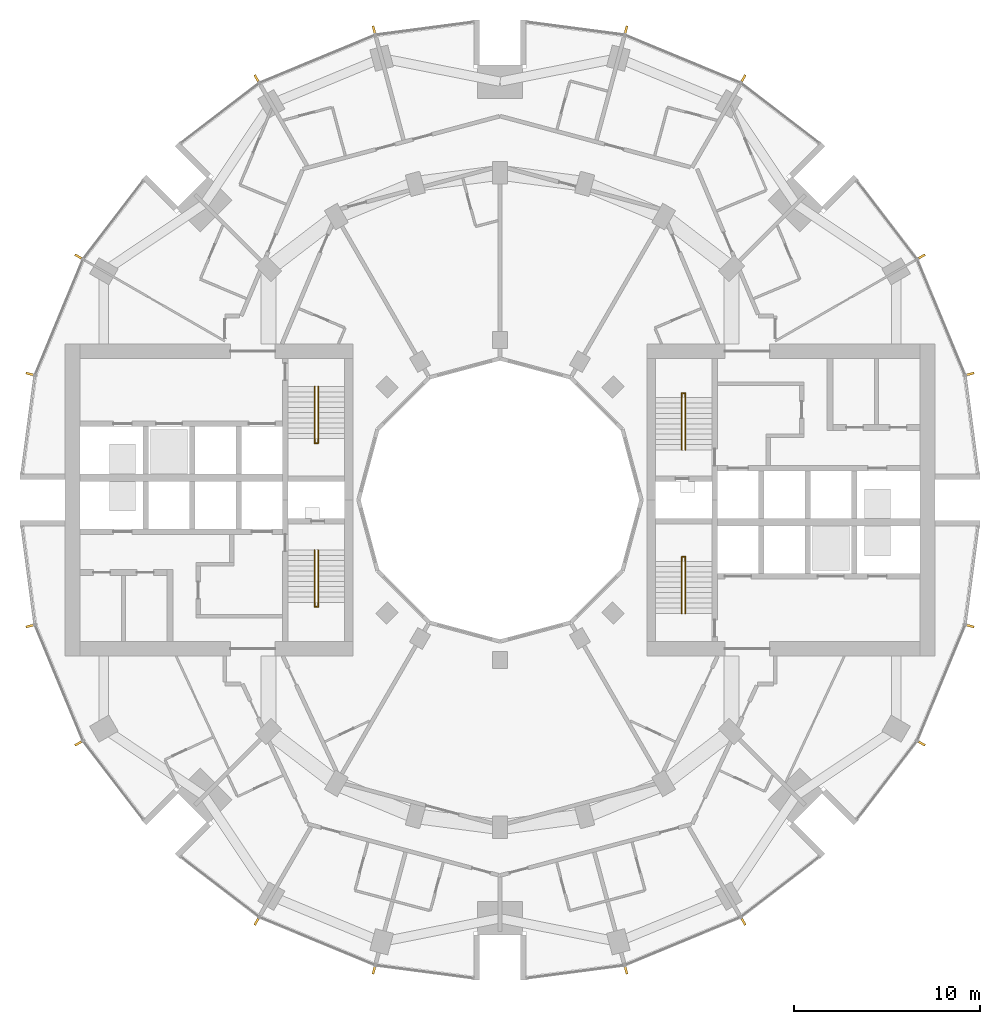
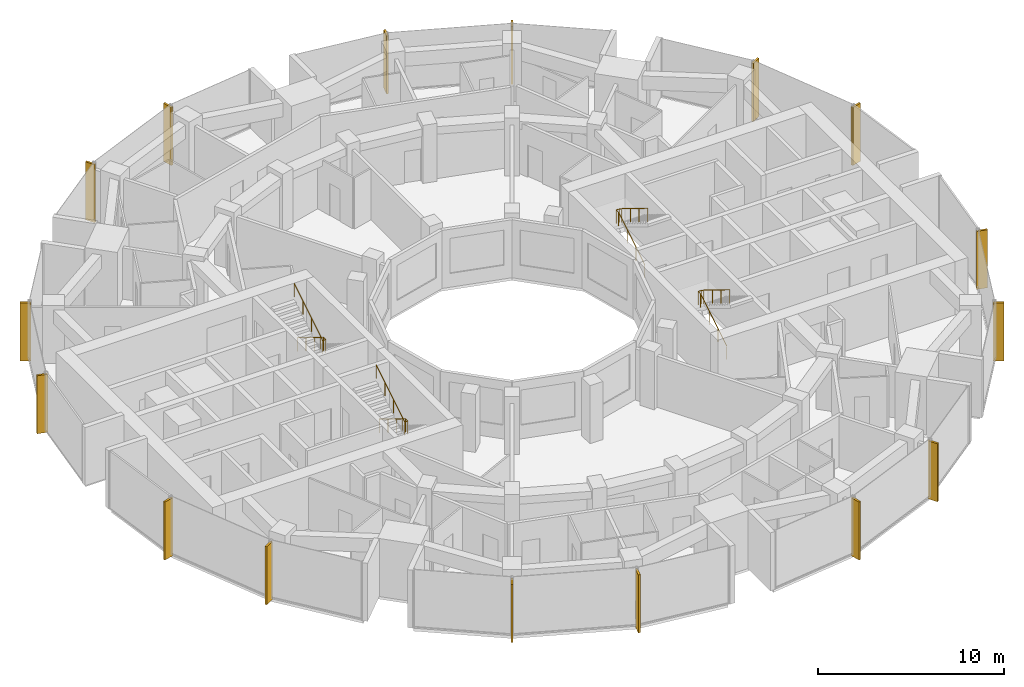
# One storey, part 14 of 15: 16 shading devices, 4 railings.
"""IFC4 building model written with IfcOpenShell, lengths in metres."""

from ifc_helpers import new_model, si_unit, direction, frame, origin, origin_2d, place, context, subcontext, project, spatial, rectangle, circle, extrude, material, material_profile, profile_set, type_object, element, save


model = new_model("IFC4")

# Units and contexts
model_context = context("Model", 3, precision=1e-05, world=origin(), true_north=direction((0.0, 1.0)))
body_context = subcontext(model_context, "Body", "Model", "MODEL_VIEW")
ifc_project = project(units=[si_unit("LENGTHUNIT", "METRE"), si_unit("AREAUNIT", "SQUARE_METRE"), si_unit("VOLUMEUNIT", "CUBIC_METRE"), si_unit("PLANEANGLEUNIT", "RADIAN"), si_unit("MASSUNIT", "GRAM", prefix="KILO")], contexts=[model_context])

# Site, building, storey
site_placement = place(None, origin())
site = spatial("IfcSite", under=ifc_project, at=site_placement, CompositionType="ELEMENT")
building_placement = place(site_placement, origin())
building = spatial("IfcBuilding", under=site, at=building_placement, Name="Torre Brocal", CompositionType="ELEMENT")
storey_placement = place(building_placement, frame((0.0, 0.0, 82.39990234375)))
storey = spatial("IfcBuildingStorey", under=building, at=storey_placement, Name="L18", CompositionType="ELEMENT", Elevation=82.39990234375)

# Shading devices
ifc_material_1 = material(Name="Aluminium, black anodised", Category="aluminium")
ifc_material_profile = material_profile(ifc_material_1, rectangle(XDim=0.1201171875, YDim=0.60009765625, at=origin_2d()), Name="FIN 120X600 3800 HIGH")
ifc_profile_set = profile_set([ifc_material_profile], Name="Aluminium, black anodised")
shading_device_type = type_object("IfcShadingDeviceType", Name="FIN 120X600 3800 HIGH", PredefinedType="USERDEFINED", material=ifc_profile_set)
for number, where, z_axis, x_axis, name in (
    (1, (105.208984375, 81.754638671875, -0.14990234375), (0.0, 0.0, 1.0), (-0.258819045103, 0.965925826289, 0.0), "FIN"),
    (2, (102.601806640625, 88.049072265625, -0.14990234375), (0.0, 0.0, 1.0), (-0.5, 0.866025403784, 0.0), "FIN"),
    (3, (93.049072265625, 97.601806640625, -0.14990234375), (0.0, 0.0, 1.0), (-0.866025403784, 0.5, 0.0), "FIN"),
    (4, (86.754638671875, 100.208984375, -0.14990234375), (0.0, 0.0, 1.0), (-0.965925826289, 0.258819045103, 0.0), "FIN"),
    (5, (73.245361328125, 100.208984375, -0.14990234375), (0.0, 0.0, 1.0), (-0.965925826289, -0.258819045103, 0.0), "FIN"),
    (6, (66.950927734375, 97.601806640625, -0.14990234375), (0.0, 0.0, 1.0), (-0.866025403784, -0.5, 0.0), "FIN"),
    (7, (57.398193359375, 88.049072265625, -0.14990234375), (0.0, 0.0, 1.0), (-0.5, -0.866025403784, 0.0), "FIN"),
    (8, (54.791015625, 81.754638671875, -0.14990234375), (0.0, 0.0, 1.0), (-0.258819045103, -0.965925826289, 0.0), "FIN"),
    (9, (54.791015625, 68.245361328125, -0.14990234375), (0.0, 0.0, 1.0), (0.258819045103, -0.965925826289, 0.0), "FIN"),
    (10, (57.398193359375, 61.950927734375, -0.14990234375), (0.0, 0.0, 1.0), (0.5, -0.866025403784, 0.0), "FIN"),
    (11, (66.950927734375, 52.398193359375, -0.14990234375), (0.0, 0.0, 1.0), (0.866025403784, -0.5, 0.0), "FIN"),
    (12, (73.245361328125, 49.791015625, -0.14990234375), (0.0, 0.0, 1.0), (0.965925826289, -0.258819045103, 0.0), "FIN"),
    (13, (86.754638671875, 49.791015625, -0.14990234375), (0.0, 0.0, 1.0), (0.965925826289, 0.258819045103, 0.0), "FIN"),
    (14, (93.049072265625, 52.398193359375, -0.14990234375), (0.0, 0.0, 1.0), (0.866025403784, 0.5, 0.0), "FIN"),
    (15, (102.601806640625, 61.950927734375, -0.14990234375), (0.0, 0.0, 1.0), (0.5, 0.866025403784, 0.0), "FIN"),
    (16, (105.208984375, 68.245361328125, -0.14990234375), (0.0, 0.0, 1.0), (0.258819045103, 0.965925826289, 0.0), "FIN"),
):
    element("IfcShadingDevice", number, at=place(storey_placement, frame(where, z_axis=z_axis, x_axis=x_axis)), inside=storey, type_object=shading_device_type, Name=name, ObjectType="FIN", PredefinedType="USERDEFINED", context=body_context, shape_type="SweptSolid", body=[
        extrude(rectangle(XDim=0.1201171875, YDim=0.60009765625, at=origin_2d()), origin(), (0.0, 0.0, 1.0), 3.800048828125),
    ])

# Railings
ifc_material_2 = material(Name="Stainless steel AISI 316", Category="steel")
railing_type = type_object("IfcRailingType", Name="STAIR HANDRAIL", PredefinedType="HANDRAIL", material=ifc_material_2)
railing_1_placement = place(storey_placement, frame((89.780029296875, 77.699951171875, 0.1728515625)))
element("IfcRailing", 17, at=railing_1_placement, inside=storey, type_object=railing_type, Name="HANDRAIL ST1", PredefinedType="HANDRAIL", context=body_context, shape_type="SweptSolid", body=[
    extrude(circle(Radius=0.02392578125, at=origin_2d()), frame((0.0, 0.0, 0.8759765625), z_axis=(0.0, 0.851089632645, 0.525020415988), x_axis=(-1.0, 0.0, 0.0)), (0.0, 0.0, 1.0), 3.2900390625),
    extrude(circle(Radius=0.02392578125, at=origin_2d()), frame((0.0, 2.800048828125, 2.60302734375), z_axis=(0.0, 1.0, 0.0), x_axis=(-1.0, 0.0, 0.0)), (0.0, 0.0, 1.0), 0.25),
    extrude(circle(Radius=0.02392578125, at=origin_2d()), frame((0.0, 3.050048828125, 2.60302734375), z_axis=(1.0, 0.0, 0.0), x_axis=(0.0, 1.0, 0.0)), (0.0, 0.0, 1.0), 0.18994140625),
    extrude(circle(Radius=0.02392578125, at=origin_2d()), frame((0.18994140625, 3.050048828125, 2.60302734375), z_axis=(0.0, -0.822914792866, 0.568164803277), x_axis=(1.0, 0.0, 0.0)), (0.0, 0.0, 1.0), 0.3037109375),
    extrude(circle(Radius=0.02392578125, at=origin_2d()), frame((0.18994140625, 2.800048828125, 2.77587890625), z_axis=(0.0, -0.851089632645, 0.525020415988), x_axis=(1.0, 0.0, 0.0)), (0.0, 0.0, 1.0), 3.2900390625),
    extrude(circle(Radius=0.02099609375, at=origin_2d()), origin(), (0.0, 0.0, 1.0), 0.851806640625),
    extrude(circle(Radius=0.02099609375, at=origin_2d()), frame((0.0, 0.933349609375, 0.57568359375)), (0.0, 0.0, 1.0), 0.851806640625),
    extrude(circle(Radius=0.02099609375, at=origin_2d()), frame((0.0, 1.86669921875, 1.151611328125)), (0.0, 0.0, 1.0), 0.851806640625),
    extrude(circle(Radius=0.02099609375, at=origin_2d()), frame((0.0, 2.800048828125, 1.727294921875)), (0.0, 0.0, 1.0), 0.851806640625),
    extrude(circle(Radius=0.02099609375, at=origin_2d()), frame((0.0, 3.050048828125, 1.727294921875)), (0.0, 0.0, 1.0), 0.851806640625),
    extrude(circle(Radius=0.02099609375, at=origin_2d()), frame((0.18994140625, 3.050048828125, 1.727294921875)), (0.0, 0.0, 1.0), 0.851806640625),
    extrude(circle(Radius=0.02099609375, at=origin_2d()), frame((0.18994140625, 2.800048828125, 1.89990234375)), (0.0, 0.0, 1.0), 0.851806640625),
    extrude(circle(Radius=0.02099609375, at=origin_2d()), frame((0.18994140625, 1.86669921875, 2.4755859375)), (0.0, 0.0, 1.0), 0.851806640625),
    extrude(circle(Radius=0.02099609375, at=origin_2d()), frame((0.18994140625, 0.933349609375, 3.051513671875)), (0.0, 0.0, 1.0), 0.851806640625),
    extrude(circle(Radius=0.02099609375, at=origin_2d()), frame((0.18994140625, 0.0, 3.627197265625)), (0.0, 0.0, 1.0), 0.851806640625),
])
railing_2_placement = place(storey_placement, frame((89.780029296875, 68.89990234375, 0.1728515625)))
element("IfcRailing", 18, at=railing_2_placement, inside=storey, type_object=railing_type, Name="HANDRAIL ST2", PredefinedType="HANDRAIL", context=body_context, shape_type="SweptSolid", body=[
    extrude(circle(Radius=0.02392578125, at=origin_2d()), frame((0.0, 0.0, 0.8759765625), z_axis=(0.0, 0.851089632645, 0.525020415988), x_axis=(-1.0, 0.0, 0.0)), (0.0, 0.0, 1.0), 3.2900390625),
    extrude(circle(Radius=0.02392578125, at=origin_2d()), frame((0.0, 2.800048828125, 2.60302734375), z_axis=(0.0, 1.0, 0.0), x_axis=(-1.0, 0.0, 0.0)), (0.0, 0.0, 1.0), 0.25),
    extrude(circle(Radius=0.02392578125, at=origin_2d()), frame((0.0, 3.050048828125, 2.60302734375), z_axis=(1.0, 0.0, 0.0), x_axis=(0.0, 1.0, 0.0)), (0.0, 0.0, 1.0), 0.18994140625),
    extrude(circle(Radius=0.02392578125, at=origin_2d()), frame((0.18994140625, 3.050048828125, 2.60302734375), z_axis=(0.0, -0.822914792866, 0.568164803277), x_axis=(1.0, 0.0, 0.0)), (0.0, 0.0, 1.0), 0.3037109375),
    extrude(circle(Radius=0.02392578125, at=origin_2d()), frame((0.18994140625, 2.800048828125, 2.77587890625), z_axis=(0.0, -0.851089632645, 0.525020415988), x_axis=(1.0, 0.0, 0.0)), (0.0, 0.0, 1.0), 3.2900390625),
    extrude(circle(Radius=0.02099609375, at=origin_2d()), origin(), (0.0, 0.0, 1.0), 0.851806640625),
    extrude(circle(Radius=0.02099609375, at=origin_2d()), frame((0.0, 0.933349609375, 0.57568359375)), (0.0, 0.0, 1.0), 0.851806640625),
    extrude(circle(Radius=0.02099609375, at=origin_2d()), frame((0.0, 1.86669921875, 1.151611328125)), (0.0, 0.0, 1.0), 0.851806640625),
    extrude(circle(Radius=0.02099609375, at=origin_2d()), frame((0.0, 2.800048828125, 1.727294921875)), (0.0, 0.0, 1.0), 0.851806640625),
    extrude(circle(Radius=0.02099609375, at=origin_2d()), frame((0.0, 3.050048828125, 1.727294921875)), (0.0, 0.0, 1.0), 0.851806640625),
    extrude(circle(Radius=0.02099609375, at=origin_2d()), frame((0.18994140625, 3.050048828125, 1.727294921875)), (0.0, 0.0, 1.0), 0.851806640625),
    extrude(circle(Radius=0.02099609375, at=origin_2d()), frame((0.18994140625, 2.800048828125, 1.89990234375)), (0.0, 0.0, 1.0), 0.851806640625),
    extrude(circle(Radius=0.02099609375, at=origin_2d()), frame((0.18994140625, 1.86669921875, 2.4755859375)), (0.0, 0.0, 1.0), 0.851806640625),
    extrude(circle(Radius=0.02099609375, at=origin_2d()), frame((0.18994140625, 0.933349609375, 3.051513671875)), (0.0, 0.0, 1.0), 0.851806640625),
    extrude(circle(Radius=0.02099609375, at=origin_2d()), frame((0.18994140625, 0.0, 3.627197265625)), (0.0, 0.0, 1.0), 0.851806640625),
])
railing_3_placement = place(storey_placement, frame((70.219970703125, 72.300048828125, 0.1728515625)))
element("IfcRailing", 19, at=railing_3_placement, inside=storey, type_object=railing_type, Name="HANDRAIL ST3", PredefinedType="HANDRAIL", context=body_context, shape_type="SweptSolid", body=[
    extrude(circle(Radius=0.02392578125, at=origin_2d()), frame((0.0, 0.0, 0.8759765625), z_axis=(0.0, -0.851089632645, 0.525020415988), x_axis=(1.0, 0.0, 0.0)), (0.0, 0.0, 1.0), 3.2900390625),
    extrude(circle(Radius=0.02392578125, at=origin_2d()), frame((0.0, -2.800048828125, 2.60302734375), z_axis=(0.0, -1.0, 0.0), x_axis=(1.0, 0.0, 0.0)), (0.0, 0.0, 1.0), 0.25),
    extrude(circle(Radius=0.02392578125, at=origin_2d()), frame((0.0, -3.050048828125, 2.60302734375), z_axis=(-1.0, 0.0, 0.0), x_axis=(0.0, -1.0, 0.0)), (0.0, 0.0, 1.0), 0.18994140625),
    extrude(circle(Radius=0.02392578125, at=origin_2d()), frame((-0.18994140625, -3.050048828125, 2.60302734375), z_axis=(0.0, 0.822914792866, 0.568164803277), x_axis=(-1.0, 0.0, 0.0)), (0.0, 0.0, 1.0), 0.3037109375),
    extrude(circle(Radius=0.02392578125, at=origin_2d()), frame((-0.18994140625, -2.800048828125, 2.77587890625), z_axis=(0.0, 0.851089632645, 0.525020415988), x_axis=(-1.0, 0.0, 0.0)), (0.0, 0.0, 1.0), 3.2900390625),
    extrude(circle(Radius=0.02099609375, at=origin_2d()), origin(), (0.0, 0.0, 1.0), 0.851806640625),
    extrude(circle(Radius=0.02099609375, at=origin_2d()), frame((0.0, -0.933349609375, 0.57568359375)), (0.0, 0.0, 1.0), 0.851806640625),
    extrude(circle(Radius=0.02099609375, at=origin_2d()), frame((0.0, -1.86669921875, 1.151611328125)), (0.0, 0.0, 1.0), 0.851806640625),
    extrude(circle(Radius=0.02099609375, at=origin_2d()), frame((0.0, -2.800048828125, 1.727294921875)), (0.0, 0.0, 1.0), 0.851806640625),
    extrude(circle(Radius=0.02099609375, at=origin_2d()), frame((0.0, -3.050048828125, 1.727294921875)), (0.0, 0.0, 1.0), 0.851806640625),
    extrude(circle(Radius=0.02099609375, at=origin_2d()), frame((-0.18994140625, -3.050048828125, 1.727294921875)), (0.0, 0.0, 1.0), 0.851806640625),
    extrude(circle(Radius=0.02099609375, at=origin_2d()), frame((-0.18994140625, -2.800048828125, 1.89990234375)), (0.0, 0.0, 1.0), 0.851806640625),
    extrude(circle(Radius=0.02099609375, at=origin_2d()), frame((-0.18994140625, -1.86669921875, 2.4755859375)), (0.0, 0.0, 1.0), 0.851806640625),
    extrude(circle(Radius=0.02099609375, at=origin_2d()), frame((-0.18994140625, -0.933349609375, 3.051513671875)), (0.0, 0.0, 1.0), 0.851806640625),
    extrude(circle(Radius=0.02099609375, at=origin_2d()), frame((-0.18994140625, 0.0, 3.627197265625)), (0.0, 0.0, 1.0), 0.851806640625),
])
railing_4_placement = place(storey_placement, frame((70.219970703125, 81.10009765625, 0.1728515625)))
element("IfcRailing", 20, at=railing_4_placement, inside=storey, type_object=railing_type, Name="HANDRAIL ST4", PredefinedType="HANDRAIL", context=body_context, shape_type="SweptSolid", body=[
    extrude(circle(Radius=0.02392578125, at=origin_2d()), frame((0.0, 0.0, 0.8759765625), z_axis=(0.0, -0.851089632645, 0.525020415988), x_axis=(1.0, 0.0, 0.0)), (0.0, 0.0, 1.0), 3.2900390625),
    extrude(circle(Radius=0.02392578125, at=origin_2d()), frame((0.0, -2.800048828125, 2.60302734375), z_axis=(0.0, -1.0, 0.0), x_axis=(1.0, 0.0, 0.0)), (0.0, 0.0, 1.0), 0.25),
    extrude(circle(Radius=0.02392578125, at=origin_2d()), frame((0.0, -3.050048828125, 2.60302734375), z_axis=(-1.0, 0.0, 0.0), x_axis=(0.0, -1.0, 0.0)), (0.0, 0.0, 1.0), 0.18994140625),
    extrude(circle(Radius=0.02392578125, at=origin_2d()), frame((-0.18994140625, -3.050048828125, 2.60302734375), z_axis=(0.0, 0.822914792866, 0.568164803277), x_axis=(-1.0, 0.0, 0.0)), (0.0, 0.0, 1.0), 0.3037109375),
    extrude(circle(Radius=0.02392578125, at=origin_2d()), frame((-0.18994140625, -2.800048828125, 2.77587890625), z_axis=(0.0, 0.851089632645, 0.525020415988), x_axis=(-1.0, 0.0, 0.0)), (0.0, 0.0, 1.0), 3.2900390625),
    extrude(circle(Radius=0.02099609375, at=origin_2d()), origin(), (0.0, 0.0, 1.0), 0.851806640625),
    extrude(circle(Radius=0.02099609375, at=origin_2d()), frame((0.0, -0.933349609375, 0.57568359375)), (0.0, 0.0, 1.0), 0.851806640625),
    extrude(circle(Radius=0.02099609375, at=origin_2d()), frame((0.0, -1.86669921875, 1.151611328125)), (0.0, 0.0, 1.0), 0.851806640625),
    extrude(circle(Radius=0.02099609375, at=origin_2d()), frame((0.0, -2.800048828125, 1.727294921875)), (0.0, 0.0, 1.0), 0.851806640625),
    extrude(circle(Radius=0.02099609375, at=origin_2d()), frame((0.0, -3.050048828125, 1.727294921875)), (0.0, 0.0, 1.0), 0.851806640625),
    extrude(circle(Radius=0.02099609375, at=origin_2d()), frame((-0.18994140625, -3.050048828125, 1.727294921875)), (0.0, 0.0, 1.0), 0.851806640625),
    extrude(circle(Radius=0.02099609375, at=origin_2d()), frame((-0.18994140625, -2.800048828125, 1.89990234375)), (0.0, 0.0, 1.0), 0.851806640625),
    extrude(circle(Radius=0.02099609375, at=origin_2d()), frame((-0.18994140625, -1.86669921875, 2.4755859375)), (0.0, 0.0, 1.0), 0.851806640625),
    extrude(circle(Radius=0.02099609375, at=origin_2d()), frame((-0.18994140625, -0.933349609375, 3.051513671875)), (0.0, 0.0, 1.0), 0.851806640625),
    extrude(circle(Radius=0.02099609375, at=origin_2d()), frame((-0.18994140625, 0.0, 3.627197265625)), (0.0, 0.0, 1.0), 0.851806640625),
])

save(model, "model.ifc")
